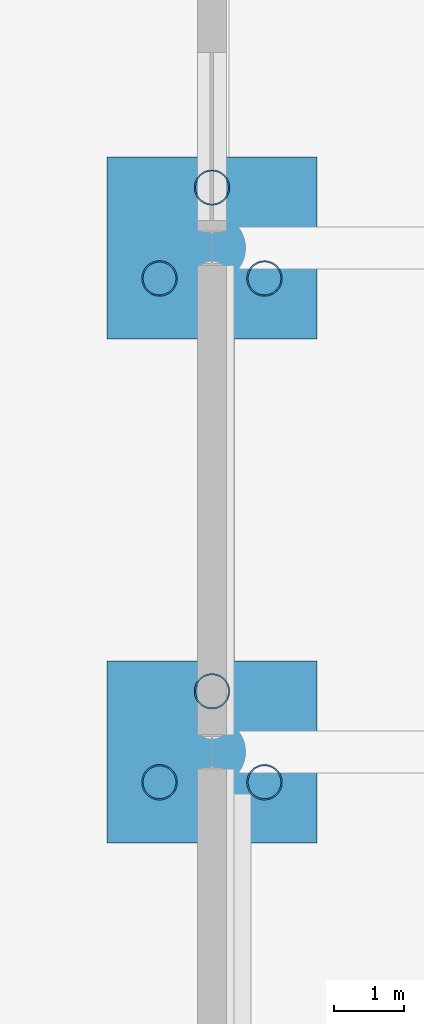
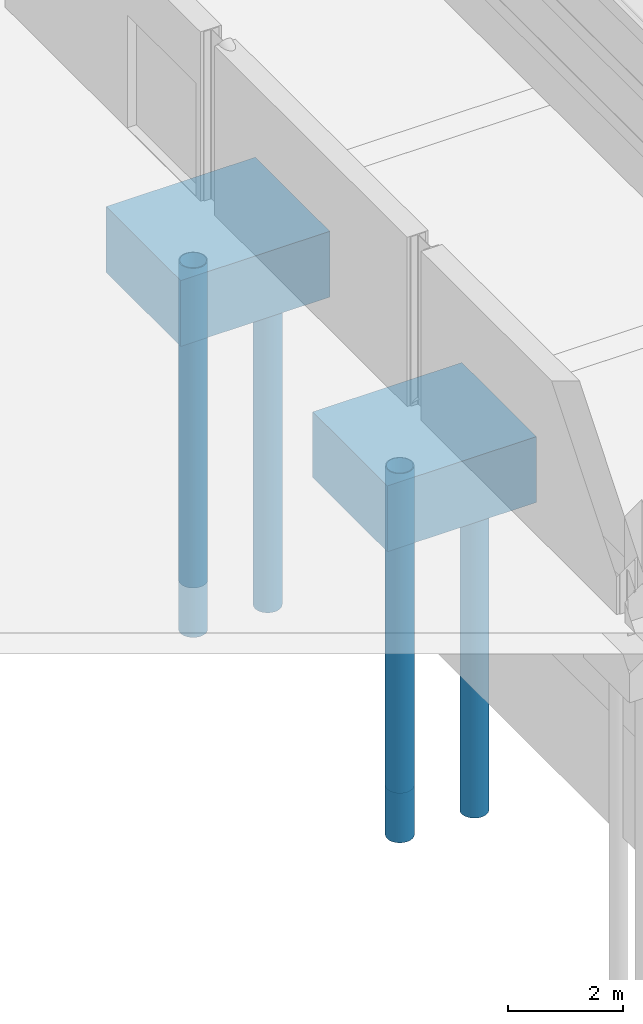
# One storey, part 19 of 148: 6 piles, 2 footings.
"""IFC4 building model written with IfcOpenShell, lengths in metres."""

from ifc_helpers import new_model, si_unit, direction, frame, origin, origin_2d, place, context, subcontext, project, spatial, rectangle, hollow_circle, extrude, material, layer, layer_set, material_profile, profile_set, type_object, element, save


model = new_model("IFC4")

# Units and contexts
model_context = context("Model", 3, precision=1e-05, world=origin(), true_north=direction((0.0, 1.0)))
body_context = subcontext(model_context, "Body", "Model", "MODEL_VIEW")
ifc_project = project(units=[si_unit("LENGTHUNIT", "METRE"), si_unit("AREAUNIT", "SQUARE_METRE"), si_unit("VOLUMEUNIT", "CUBIC_METRE"), si_unit("PLANEANGLEUNIT", "RADIAN"), si_unit("MASSUNIT", "GRAM", prefix="KILO")], contexts=[model_context])

# Site, building, storey
site_placement = place(None, origin())
site = spatial("IfcSite", under=ifc_project, at=site_placement, CompositionType="ELEMENT")
building_placement = place(site_placement, origin())
building = spatial("IfcBuilding", under=site, at=building_placement, Name="Kupolbacken Congress Centre", CompositionType="ELEMENT")
storey_placement = place(building_placement, origin())
storey = spatial("IfcBuildingStorey", under=building, at=storey_placement, Name="L00", CompositionType="ELEMENT", Elevation=0.0)

# Footings
ifc_material_1 = material(Name="Concrete C30/37", Category="concrete")
ifc_layer = layer(ifc_material_1, 1.39990234375)
ifc_layer_set = layer_set([ifc_layer], Name="Concrete C30/37")
footing_type = type_object("IfcFootingType", Name="PC5 pile cap 3.00 x 2.60 x 1.40 m", PredefinedType="PILE_CAP", material=ifc_layer_set)
for number, where, z_axis, x_axis, name in (
    (1, (201.60009765625, 57.60009765625, -1.699951171875), (0.0, 0.0, 1.0), (1.0, 0.0, 0.0), "S/fnd/C-H-PE03/cap"),
    (2, (201.60009765625, 64.800048828125, -1.699951171875), (0.0, 0.0, 1.0), (1.0, 0.0, 0.0), "S/fnd/C-H-PE04/cap"),
):
    element("IfcFooting", number, at=place(storey_placement, frame(where, z_axis=z_axis, x_axis=x_axis)), inside=storey, type_object=footing_type, Name=name, PredefinedType="PILE_CAP", context=body_context, shape_type="SweptSolid", body=[
        extrude(rectangle(XDim=3.0, YDim=2.60009765625, at=origin_2d()), origin(), (0.0, 0.0, 1.0), 1.39990234375),
    ])

# Piles
ifc_material_2 = material(Name="Steel S355", Category="steel")
ifc_material_profile = material_profile(ifc_material_2, hollow_circle(Radius=0.25390625, WallThickness=0.02001953125, at=origin_2d()), Name="CHS 508 x 20")
ifc_profile_set = profile_set([ifc_material_profile], Name="Steel S355")
pile_type = type_object("IfcPileType", Name="PL3 steel tube pile CHS 508 x 20", PredefinedType="BORED", material=ifc_profile_set)
for number, where, z_axis, x_axis, name in (
    (3, (200.85009765625, 57.16650390625, -1.699951171875), (0.0, 0.0, -1.0), (1.0, 0.0, 0.0), "S/fnd/C-H-PE03/pile1"),
    (4, (202.35009765625, 57.16650390625, -1.699951171875), (0.0, 0.0, -1.0), (1.0, 0.0, 0.0), "S/fnd/C-H-PE03/pile2"),
    (5, (201.60009765625, 58.465576171875, -1.699951171875), (0.0, 0.0, -1.0), (1.0, 0.0, 0.0), "S/fnd/C-H-PE03/pile3"),
    (6, (200.85009765625, 64.366455078125, -1.699951171875), (0.0, 0.0, -1.0), (1.0, 0.0, 0.0), "S/fnd/C-H-PE04/pile1"),
    (7, (202.35009765625, 64.366455078125, -1.699951171875), (0.0, 0.0, -1.0), (1.0, 0.0, 0.0), "S/fnd/C-H-PE04/pile2"),
    (8, (201.60009765625, 65.66552734375, -1.699951171875), (0.0, 0.0, -1.0), (1.0, 0.0, 0.0), "S/fnd/C-H-PE04/pile3"),
):
    element("IfcPile", number, at=place(storey_placement, frame(where, z_axis=z_axis, x_axis=x_axis)), inside=storey, type_object=pile_type, Name=name, PredefinedType="BORED", context=body_context, shape_type="SweptSolid", body=[
        extrude(hollow_circle(Radius=0.25390625, WallThickness=0.02001953125, at=origin_2d()), origin(), (0.0, 0.0, 1.0), 6.800048828125),
    ])

save(model, "model.ifc")
